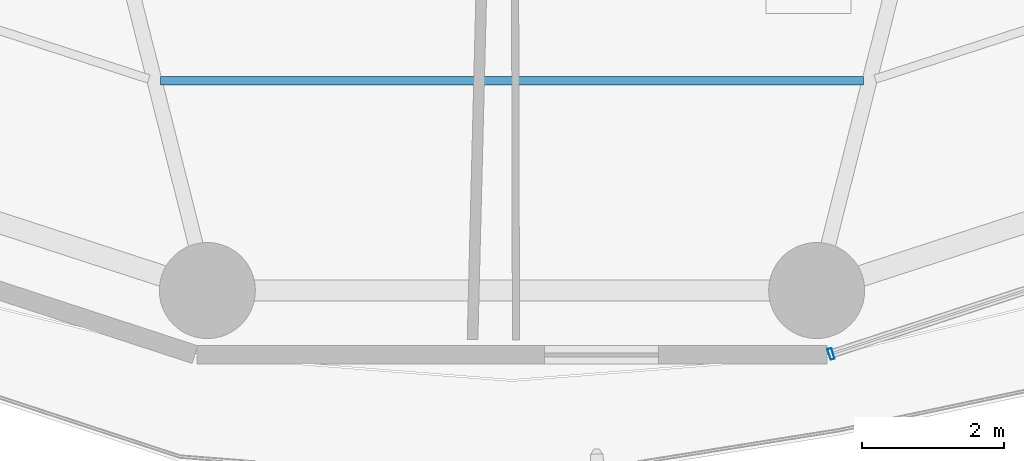
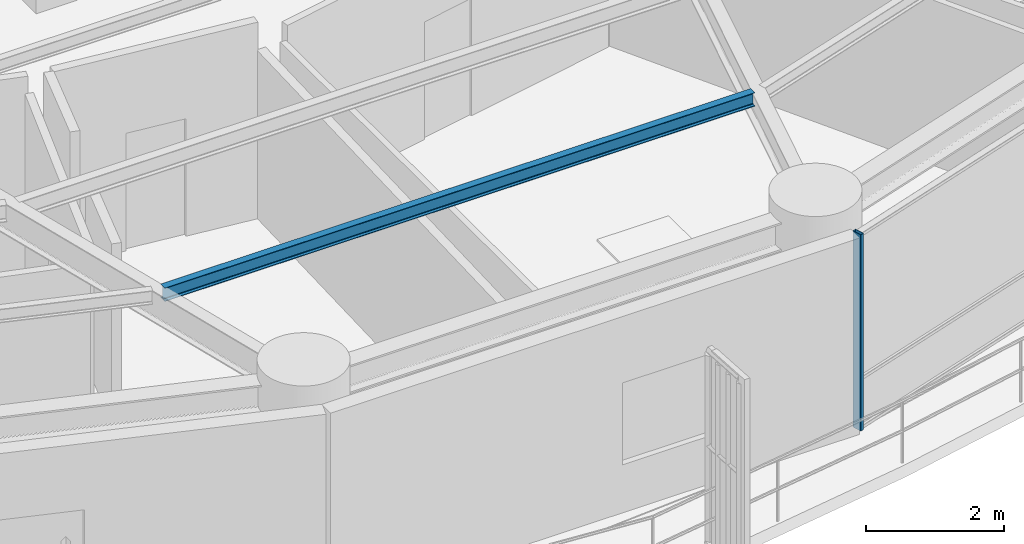
# One storey, part 4 of 35: 1 beam, 1 member, 1 element without a shape of its own.
"""IFC4 building model written with IfcOpenShell, lengths in metres."""

from ifc_helpers import new_model, si_unit, direction, frame, origin, origin_2d, place, context, subcontext, project, spatial, hollow_rectangle, i_section, extrude, material, layer, layer_set, material_profile, profile_set, type_object, element, aggregate, save


model = new_model("IFC4")

# Units and contexts
model_context = context("Model", 3, precision=1e-05, world=origin(), true_north=direction((0.0, 1.0)))
body_context = subcontext(model_context, "Body", "Model", "MODEL_VIEW")
ifc_project = project(units=[si_unit("LENGTHUNIT", "METRE"), si_unit("AREAUNIT", "SQUARE_METRE"), si_unit("VOLUMEUNIT", "CUBIC_METRE"), si_unit("PLANEANGLEUNIT", "RADIAN"), si_unit("MASSUNIT", "GRAM", prefix="KILO")], contexts=[model_context])

# Site, building, storey
site_placement = place(None, origin())
site = spatial("IfcSite", under=ifc_project, at=site_placement, CompositionType="ELEMENT")
building_placement = place(site_placement, origin())
building = spatial("IfcBuilding", under=site, at=building_placement, Name="Kelanora Arch Commons", CompositionType="ELEMENT")
storey_placement = place(building_placement, frame((0.0, 0.0, 117.60009765625)))
storey = spatial("IfcBuildingStorey", under=building, at=storey_placement, Name="L30", CompositionType="ELEMENT", Elevation=117.60009765625)

# Beam
ifc_material_1 = material(Name="Steel S355", Category="steel")
ifc_material_profile_1 = material_profile(ifc_material_1, i_section(OverallWidth=0.1201171875, OverallDepth=0.239990234375, WebThickness=0.006103515625, FlangeThickness=0.009765625, FilletRadius=0.014892578125, at=origin_2d()), Name="IPE240")
ifc_profile_set_1 = profile_set([ifc_material_profile_1], Name="Steel S355")
beam_type = type_object("IfcBeamType", Name="BM-JST-02", PredefinedType="JOIST", material=ifc_profile_set_1)
beam_placement = place(storey_placement, frame((69.056396484375, 39.204345703125, 3.369873046875), z_axis=(1.0, 0.0, 0.0), x_axis=(0.0, 1.0, 0.0)))
element("IfcBeam", 1, at=beam_placement, inside=storey, type_object=beam_type, Name="Secondary Chord Joist BJC-26 L30", PredefinedType="JOIST", context=body_context, shape_type="SweptSolid", body=[
    extrude(i_section(OverallWidth=0.1201171875, OverallDepth=0.239990234375, WebThickness=0.006103515625, FlangeThickness=0.009765625, FilletRadius=0.014892578125, at=origin_2d()), origin(), (0.0, 0.0, 1.0), 9.88720703125),
])

# Curtain wall, member
ifc_material_2 = material(Name="Terracotta ceramic-fritted low-E glass and aluminium", Category="masonry")
ifc_layer = layer(ifc_material_2, 0.159912109375)
ifc_layer_set = layer_set([ifc_layer], Name="Terracotta ceramic-fritted low-E glass and aluminium")
curtain_wall_type = type_object("IfcCurtainWallType", Name="CW-SYS-01", PredefinedType="NOTDEFINED", material=ifc_layer_set)
curtain_wall_placement = place(storey_placement, origin())
curtain_wall = element("IfcCurtainWall", 2, at=curtain_wall_placement, inside=storey, type_object=curtain_wall_type, Name="Unitised Curtain Wall L30-B14", PredefinedType="NOTDEFINED")
ifc_material_3 = material(Name="Powder-coated aluminium terracotta", Category="masonry")
ifc_material_profile_2 = material_profile(ifc_material_3, hollow_rectangle(XDim=0.159912109375, YDim=0.06005859375, WallThickness=0.0048828125, InnerFilletRadius=0.0048828125, OuterFilletRadius=0.010009765625, at=origin_2d()), Name="CWM160x60")
ifc_profile_set_2 = profile_set([ifc_material_profile_2], Name="Powder-coated aluminium terracotta")
member_type = type_object("IfcMemberType", Name="CWM-STD", PredefinedType="MULLION", material=ifc_profile_set_2)
member_placement = place(storey_placement, frame((78.48828125, 35.363525390625, 0.0), z_axis=(0.0, 0.0, 1.0), x_axis=(-0.31080470294, 0.950473795867, 0.0)))
member = element("IfcMember", 3, at=member_placement, type_object=member_type, Name="CW-01 mullion 1", PredefinedType="MULLION", context=body_context, shape_type="SweptSolid", body=[
    extrude(hollow_rectangle(XDim=0.159912109375, YDim=0.06005859375, WallThickness=0.0048828125, InnerFilletRadius=0.0048828125, OuterFilletRadius=0.010009765625, at=origin_2d()), origin(), (0.0, 0.0, 1.0), 3.474853515625),
])
aggregate(curtain_wall, [member])

save(model, "model.ifc")
